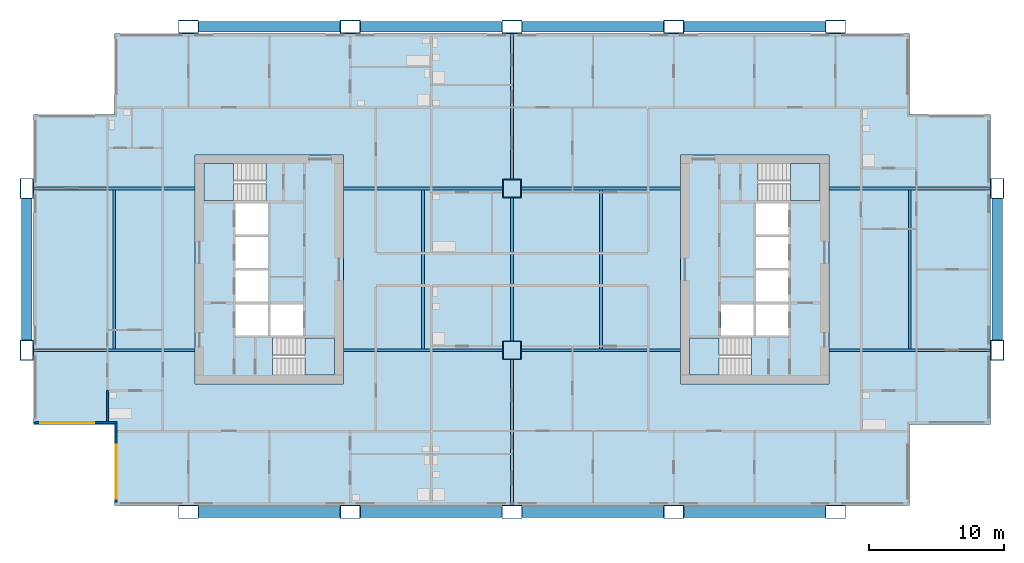
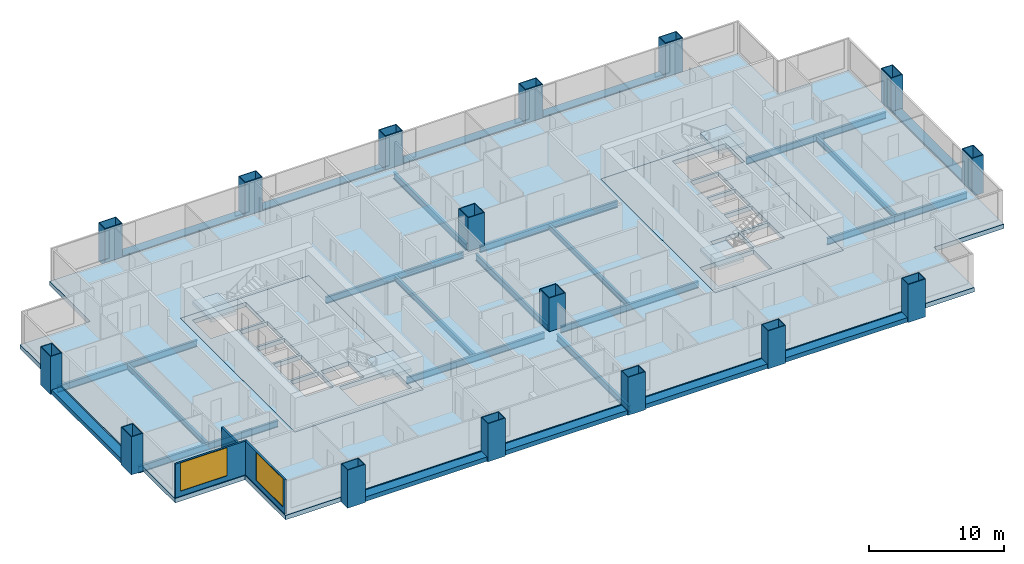
# One storey, part 1 of 11: 25 beams, 16 columns, 7 slabs, 3 walls, 2 windows, 2 openings, 4 elements without a shape of their own.
"""IFC4 building model written with IfcOpenShell, lengths in metres."""

from ifc_helpers import new_model, si_unit, direction, frame, frame_2d, origin, origin_2d, place, context, subcontext, project, spatial, polyline, rectangle, hollow_rectangle, i_section, outline, extrude, material, layer, layer_set, material_profile, profile_set, type_object, element, fill, aggregate, save


model = new_model("IFC4")

# Units and contexts
model_context = context("Model", 3, precision=1e-05, world=origin(), true_north=direction((0.0, 1.0)))
body_context = subcontext(model_context, "Body", "Model", "MODEL_VIEW")
ifc_project = project(units=[si_unit("LENGTHUNIT", "METRE"), si_unit("AREAUNIT", "SQUARE_METRE"), si_unit("VOLUMEUNIT", "CUBIC_METRE"), si_unit("PLANEANGLEUNIT", "RADIAN"), si_unit("MASSUNIT", "GRAM", prefix="KILO")], contexts=[model_context])

# Site, building, storey
site_placement = place(None, origin())
site = spatial("IfcSite", under=ifc_project, at=site_placement, CompositionType="ELEMENT")
building_placement = place(site_placement, origin())
building = spatial("IfcBuilding", under=site, at=building_placement, Name="Kitamizu Gate Tower and Museum", CompositionType="ELEMENT")
storey_placement = place(building_placement, frame((0.0, 0.0, 106.949951171875)))
storey = spatial("IfcBuildingStorey", under=building, at=storey_placement, Name="L27", CompositionType="ELEMENT", Elevation=106.949951171875)

# Columns
ifc_material_1 = material(Name="Steel SM490A bronze coated", Category="steel")
ifc_material_profile_1 = material_profile(ifc_material_1, hollow_rectangle(XDim=1.5, YDim=1.0, WallThickness=0.06005859375, at=origin_2d()), Name="BOX 1500x1000x60")
ifc_profile_set_1 = profile_set([ifc_material_profile_1], Name="Steel SM490A bronze coated")
column_type_1 = type_object("IfcColumnType", Name="Exoskeleton column XC4 BOX 1500x1000x60", PredefinedType="COLUMN", material=ifc_profile_set_1)
for number, where, z_axis, x_axis, name in (
    (1, (0.0, 24.0, -0.39990234375), (0.0, 0.0, 1.0), (0.0, 1.0, 0.0), "Column XC4 1C L27"),
    (2, (0.0, 36.0, -0.39990234375), (0.0, 0.0, 1.0), (0.0, 1.0, 0.0), "Column XC4 1D L27"),
    (3, (12.0, 12.0, -0.39990234375), (0.0, 0.0, 1.0), (1.0, 0.0, 0.0), "Column XC4 2B L27"),
    (4, (12.0, 48.0, -0.39990234375), (0.0, 0.0, 1.0), (1.0, 0.0, 0.0), "Column XC4 2E L27"),
    (5, (24.0, 12.0, -0.39990234375), (0.0, 0.0, 1.0), (1.0, 0.0, 0.0), "Column XC4 3B L27"),
    (6, (24.0, 48.0, -0.39990234375), (0.0, 0.0, 1.0), (1.0, 0.0, 0.0), "Column XC4 3E L27"),
    (7, (36.0, 12.0, -0.39990234375), (0.0, 0.0, 1.0), (1.0, 0.0, 0.0), "Column XC4 4B L27"),
    (8, (36.0, 48.0, -0.39990234375), (0.0, 0.0, 1.0), (1.0, 0.0, 0.0), "Column XC4 4E L27"),
    (9, (48.0, 12.0, -0.39990234375), (0.0, 0.0, 1.0), (1.0, 0.0, 0.0), "Column XC4 5B L27"),
    (10, (48.0, 48.0, -0.39990234375), (0.0, 0.0, 1.0), (1.0, 0.0, 0.0), "Column XC4 5E L27"),
    (11, (60.0, 12.0, -0.39990234375), (0.0, 0.0, 1.0), (1.0, 0.0, 0.0), "Column XC4 6B L27"),
    (12, (60.0, 48.0, -0.39990234375), (0.0, 0.0, 1.0), (1.0, 0.0, 0.0), "Column XC4 6E L27"),
    (13, (72.0, 24.0, -0.39990234375), (0.0, 0.0, 1.0), (0.0, 1.0, 0.0), "Column XC4 7C L27"),
    (14, (72.0, 36.0, -0.39990234375), (0.0, 0.0, 1.0), (0.0, 1.0, 0.0), "Column XC4 7D L27"),
):
    element("IfcColumn", number, at=place(storey_placement, frame(where, z_axis=z_axis, x_axis=x_axis)), inside=storey, type_object=column_type_1, Name=name, PredefinedType="COLUMN", context=body_context, shape_type="SweptSolid", body=[
        extrude(hollow_rectangle(XDim=1.5, YDim=1.0, WallThickness=0.06005859375, at=origin_2d()), origin(), (0.0, 0.0, 1.0), 3.449951171875),
    ])
ifc_material_2 = material(Name="Steel SM490A", Category="steel")
ifc_material_profile_2 = material_profile(ifc_material_2, hollow_rectangle(XDim=1.39990234375, YDim=1.39990234375, WallThickness=0.06005859375, at=origin_2d()), Name="BOX 1400x1400x60")
ifc_profile_set_2 = profile_set([ifc_material_profile_2], Name="Steel SM490A")
column_type_2 = type_object("IfcColumnType", Name="Interior column IC3 BOX 1400x1400x60", PredefinedType="COLUMN", material=ifc_profile_set_2)
for number, where, z_axis, x_axis, name in (
    (15, (36.0, 24.0, 0.0), (0.0, 0.0, 1.0), (1.0, 0.0, 0.0), "Column IC3 4C L27"),
    (16, (36.0, 36.0, 0.0), (0.0, 0.0, 1.0), (1.0, 0.0, 0.0), "Column IC3 4D L27"),
):
    element("IfcColumn", number, at=place(storey_placement, frame(where, z_axis=z_axis, x_axis=x_axis)), inside=storey, type_object=column_type_2, Name=name, PredefinedType="COLUMN", context=body_context, shape_type="SweptSolid", body=[
        extrude(hollow_rectangle(XDim=1.39990234375, YDim=1.39990234375, WallThickness=0.06005859375, at=origin_2d()), origin(), (0.0, 0.0, 1.0), 3.050048828125),
    ])

# Beams
ifc_material_3 = material(Name="Steel SM490A bronze coated", Category="steel")
ifc_material_profile_3 = material_profile(ifc_material_3, hollow_rectangle(XDim=0.800048828125, YDim=0.39990234375, WallThickness=0.0400390625, at=origin_2d()), Name="BOX 800x400x40")
ifc_profile_set_3 = profile_set([ifc_material_profile_3], Name="Steel SM490A bronze coated")
beam_type_1 = type_object("IfcBeamType", Name="Exoskeleton spandrel beam SB1 BOX 800x400x40", PredefinedType="SPANDREL", material=ifc_profile_set_3)
for number, where, z_axis, x_axis, name in (
    (17, (12.75, 12.0, -0.199951171875), (1.0, 0.0, 0.0), (0.0, 1.0, 0.0), "Exoskeleton spandrel beam south 12 L27"),
    (18, (24.75, 12.0, -0.199951171875), (1.0, 0.0, 0.0), (0.0, 1.0, 0.0), "Exoskeleton spandrel beam south 24 L27"),
    (19, (36.75, 12.0, -0.199951171875), (1.0, 0.0, 0.0), (0.0, 1.0, 0.0), "Exoskeleton spandrel beam south 36 L27"),
    (20, (48.75, 12.0, -0.199951171875), (1.0, 0.0, 0.0), (0.0, 1.0, 0.0), "Exoskeleton spandrel beam south 48 L27"),
    (21, (12.75, 48.0, -0.199951171875), (1.0, 0.0, 0.0), (0.0, 1.0, 0.0), "Exoskeleton spandrel beam north 12 L27"),
    (22, (24.75, 48.0, -0.199951171875), (1.0, 0.0, 0.0), (0.0, 1.0, 0.0), "Exoskeleton spandrel beam north 24 L27"),
    (23, (36.75, 48.0, -0.199951171875), (1.0, 0.0, 0.0), (0.0, 1.0, 0.0), "Exoskeleton spandrel beam north 36 L27"),
    (24, (48.75, 48.0, -0.199951171875), (1.0, 0.0, 0.0), (0.0, 1.0, 0.0), "Exoskeleton spandrel beam north 48 L27"),
    (25, (0.0, 24.75, -0.199951171875), (0.0, 1.0, 0.0), (-1.0, 0.0, 0.0), "Exoskeleton spandrel beam west 24 L27"),
    (26, (72.0, 24.75, -0.199951171875), (0.0, 1.0, 0.0), (-1.0, 0.0, 0.0), "Exoskeleton spandrel beam east 24 L27"),
):
    element("IfcBeam", number, at=place(storey_placement, frame(where, z_axis=z_axis, x_axis=x_axis)), inside=storey, type_object=beam_type_1, Name=name, PredefinedType="SPANDREL", context=body_context, shape_type="SweptSolid", body=[
        extrude(hollow_rectangle(XDim=0.800048828125, YDim=0.39990234375, WallThickness=0.0400390625, at=origin_2d()), origin(), (0.0, 0.0, 1.0), 10.5),
    ])
ifc_material_4 = material(Name="Steel SM490A", Category="steel")
ifc_material_profile_4 = material_profile(ifc_material_4, i_section(OverallWidth=0.199951171875, OverallDepth=0.5, WebThickness=0.010009765625, FlangeThickness=0.01611328125, FilletRadius=0.02001953125, at=origin_2d()), Name="H-500x200x10x16")
ifc_profile_set_4 = profile_set([ifc_material_profile_4], Name="Steel SM490A")
beam_type_2 = type_object("IfcBeamType", Name="Floor beam FB1 H 500x200x10x16", PredefinedType="BEAM", material=ifc_profile_set_4)
for number, where, z_axis, x_axis, name in (
    (27, (6.5, 24.10009765625, -0.64990234375), (0.0, 1.0, 0.0), (-1.0, 0.0, 0.0), "Floor beam FB1 L27-1"),
    (28, (29.39990234375, 24.10009765625, -0.64990234375), (0.0, 1.0, 0.0), (-1.0, 0.0, 0.0), "Floor beam FB1 L27-2"),
    (29, (42.60009765625, 24.10009765625, -0.64990234375), (0.0, 1.0, 0.0), (-1.0, 0.0, 0.0), "Floor beam FB1 L27-3"),
    (30, (65.5, 24.10009765625, -0.64990234375), (0.0, 1.0, 0.0), (-1.0, 0.0, 0.0), "Floor beam FB1 L27-4"),
):
    element("IfcBeam", number, at=place(storey_placement, frame(where, z_axis=z_axis, x_axis=x_axis)), inside=storey, type_object=beam_type_2, Name=name, PredefinedType="BEAM", context=body_context, shape_type="SweptSolid", body=[
        extrude(i_section(OverallWidth=0.199951171875, OverallDepth=0.5, WebThickness=0.010009765625, FlangeThickness=0.01611328125, FilletRadius=0.02001953125, at=origin_2d()), origin(), (0.0, 0.0, 1.0), 11.7998046875),
    ])
ifc_material_5 = material(Name="Steel SM490A", Category="steel")
ifc_material_profile_5 = material_profile(ifc_material_5, i_section(OverallWidth=0.199951171875, OverallDepth=0.60009765625, WebThickness=0.010986328125, FlangeThickness=0.01708984375, FilletRadius=0.02197265625, at=origin_2d()), Name="H-600x200x11x17")
ifc_profile_set_5 = profile_set([ifc_material_profile_5], Name="Steel SM490A")
beam_type_3 = type_object("IfcBeamType", Name="Floor girder FG1 H 600x200x11x17", PredefinedType="BEAM", material=ifc_profile_set_5)
beam_1_placement = place(storey_placement, frame((36.0, 12.5, -0.699951171875), z_axis=(0.0, 1.0, 0.0), x_axis=(-1.0, 0.0, 0.0)))
element("IfcBeam", 31, at=beam_1_placement, inside=storey, type_object=beam_type_3, Name="Floor girder FG1 x36 L27", PredefinedType="BEAM", context=body_context, shape_type="SweptSolid", body=[
    extrude(i_section(OverallWidth=0.199951171875, OverallDepth=0.60009765625, WebThickness=0.010986328125, FlangeThickness=0.01708984375, FilletRadius=0.02197265625, at=origin_2d()), origin(), (0.0, 0.0, 1.0), 10.800048828125),
])
beam_2_placement = place(storey_placement, frame((36.0, 24.699951171875, -0.699951171875), z_axis=(0.0, 1.0, 0.0), x_axis=(-1.0, 0.0, 0.0)))
element("IfcBeam", 32, at=beam_2_placement, inside=storey, type_object=beam_type_3, Name="Floor girder FG1 x36 L27", PredefinedType="BEAM", context=body_context, shape_type="SweptSolid", body=[
    extrude(i_section(OverallWidth=0.199951171875, OverallDepth=0.60009765625, WebThickness=0.010986328125, FlangeThickness=0.01708984375, FilletRadius=0.02197265625, at=origin_2d()), origin(), (0.0, 0.0, 1.0), 10.60009765625),
])
beam_3_placement = place(storey_placement, frame((36.0, 36.699951171875, -0.699951171875), z_axis=(0.0, 1.0, 0.0), x_axis=(-1.0, 0.0, 0.0)))
element("IfcBeam", 33, at=beam_3_placement, inside=storey, type_object=beam_type_3, Name="Floor girder FG1 x36 L27", PredefinedType="BEAM", context=body_context, shape_type="SweptSolid", body=[
    extrude(i_section(OverallWidth=0.199951171875, OverallDepth=0.60009765625, WebThickness=0.010986328125, FlangeThickness=0.01708984375, FilletRadius=0.02197265625, at=origin_2d()), origin(), (0.0, 0.0, 1.0), 10.800048828125),
])
beam_4_placement = place(storey_placement, frame((0.5, 24.0, -0.699951171875), z_axis=(1.0, 0.0, 0.0), x_axis=(0.0, 1.0, 0.0)))
element("IfcBeam", 34, at=beam_4_placement, inside=storey, type_object=beam_type_3, Name="Floor girder FG1 y24 L27", PredefinedType="BEAM", context=body_context, shape_type="SweptSolid", body=[
    extrude(i_section(OverallWidth=0.199951171875, OverallDepth=0.60009765625, WebThickness=0.010986328125, FlangeThickness=0.01708984375, FilletRadius=0.02197265625, at=origin_2d()), origin(), (0.0, 0.0, 1.0), 12.0),
])
for number, where, z_axis, x_axis, name in (
    (35, (23.5, 24.0, -0.699951171875), (1.0, 0.0, 0.0), (0.0, 1.0, 0.0), "Floor girder FG1 y24 L27"),
    (36, (36.699951171875, 24.0, -0.699951171875), (1.0, 0.0, 0.0), (0.0, 1.0, 0.0), "Floor girder FG1 y24 L27"),
):
    element("IfcBeam", number, at=place(storey_placement, frame(where, z_axis=z_axis, x_axis=x_axis)), inside=storey, type_object=beam_type_3, Name=name, PredefinedType="BEAM", context=body_context, shape_type="SweptSolid", body=[
        extrude(i_section(OverallWidth=0.199951171875, OverallDepth=0.60009765625, WebThickness=0.010986328125, FlangeThickness=0.01708984375, FilletRadius=0.02197265625, at=origin_2d()), origin(), (0.0, 0.0, 1.0), 11.800048828125),
    ])
for number, where, z_axis, x_axis, name in (
    (37, (59.5, 24.0, -0.699951171875), (1.0, 0.0, 0.0), (0.0, 1.0, 0.0), "Floor girder FG1 y24 L27"),
    (38, (0.5, 36.0, -0.699951171875), (1.0, 0.0, 0.0), (0.0, 1.0, 0.0), "Floor girder FG1 y36 L27"),
):
    element("IfcBeam", number, at=place(storey_placement, frame(where, z_axis=z_axis, x_axis=x_axis)), inside=storey, type_object=beam_type_3, Name=name, PredefinedType="BEAM", context=body_context, shape_type="SweptSolid", body=[
        extrude(i_section(OverallWidth=0.199951171875, OverallDepth=0.60009765625, WebThickness=0.010986328125, FlangeThickness=0.01708984375, FilletRadius=0.02197265625, at=origin_2d()), origin(), (0.0, 0.0, 1.0), 12.0),
    ])
for number, where, z_axis, x_axis, name in (
    (39, (23.5, 36.0, -0.699951171875), (1.0, 0.0, 0.0), (0.0, 1.0, 0.0), "Floor girder FG1 y36 L27"),
    (40, (36.699951171875, 36.0, -0.699951171875), (1.0, 0.0, 0.0), (0.0, 1.0, 0.0), "Floor girder FG1 y36 L27"),
):
    element("IfcBeam", number, at=place(storey_placement, frame(where, z_axis=z_axis, x_axis=x_axis)), inside=storey, type_object=beam_type_3, Name=name, PredefinedType="BEAM", context=body_context, shape_type="SweptSolid", body=[
        extrude(i_section(OverallWidth=0.199951171875, OverallDepth=0.60009765625, WebThickness=0.010986328125, FlangeThickness=0.01708984375, FilletRadius=0.02197265625, at=origin_2d()), origin(), (0.0, 0.0, 1.0), 11.800048828125),
    ])
beam_5_placement = place(storey_placement, frame((59.5, 36.0, -0.699951171875), z_axis=(1.0, 0.0, 0.0), x_axis=(0.0, 1.0, 0.0)))
element("IfcBeam", 41, at=beam_5_placement, inside=storey, type_object=beam_type_3, Name="Floor girder FG1 y36 L27", PredefinedType="BEAM", context=body_context, shape_type="SweptSolid", body=[
    extrude(i_section(OverallWidth=0.199951171875, OverallDepth=0.60009765625, WebThickness=0.010986328125, FlangeThickness=0.01708984375, FilletRadius=0.02197265625, at=origin_2d()), origin(), (0.0, 0.0, 1.0), 12.0),
])

# Slabs
ifc_material_6 = material(Name="Concrete Fc36", Category="concrete")
ifc_layer_1 = layer(ifc_material_6, 0.39990234375)
ifc_layer_set_1 = layer_set([ifc_layer_1], Name="Concrete Fc36")
slab_type_1 = type_object("IfcSlabType", Name="Core floor slab 400", PredefinedType="FLOOR", material=ifc_layer_set_1)
slab_1_placement = place(storey_placement, frame((0.0, 0.0, -0.39990234375)))
element("IfcSlab", 42, at=slab_1_placement, inside=storey, type_object=slab_type_1, Name="Core floor slab W", PredefinedType="FLOOR", context=body_context, shape_type="SweptSolid", body=[
    extrude(outline(polyline([(12.5, 21.5), (23.5, 21.5), (23.5, 38.5), (12.5, 38.5), (12.5, 21.5)]), holes=[polyline([(15.5, 25.10009765625), (17.89990234375, 25.10009765625), (17.89990234375, 27.39990234375), (15.5, 27.39990234375), (15.5, 25.10009765625)]), polyline([(15.5, 27.60009765625), (17.89990234375, 27.60009765625), (17.89990234375, 29.89990234375), (15.5, 29.89990234375), (15.5, 27.60009765625)]), polyline([(15.5, 30.10009765625), (17.89990234375, 30.10009765625), (17.89990234375, 32.39990234375), (15.5, 32.39990234375), (15.5, 30.10009765625)]), polyline([(15.5, 32.60009765625), (17.89990234375, 32.60009765625), (17.89990234375, 34.89990234375), (15.5, 34.89990234375), (15.5, 32.60009765625)]), polyline([(18.10009765625, 25.10009765625), (20.5, 25.10009765625), (20.5, 27.39990234375), (18.10009765625, 27.39990234375), (18.10009765625, 25.10009765625)]), polyline([(18.25048828125, 22.14990234375), (22.85009765625, 22.14990234375), (22.85009765625, 24.89990234375), (18.25048828125, 24.89990234375), (18.25048828125, 22.14990234375)]), polyline([(13.14990234375, 35.10009765625), (17.74951171875, 35.10009765625), (17.74951171875, 37.85009765625), (13.14990234375, 37.85009765625), (13.14990234375, 35.10009765625)])]), origin(), (0.0, 0.0, 1.0), 0.39990234375),
])
slab_2_placement = place(storey_placement, frame((0.0, 0.0, -0.39990234375)))
element("IfcSlab", 43, at=slab_2_placement, inside=storey, type_object=slab_type_1, Name="Core floor slab E", PredefinedType="FLOOR", context=body_context, shape_type="SweptSolid", body=[
    extrude(outline(polyline([(48.5, 21.5), (59.5, 21.5), (59.5, 38.5), (48.5, 38.5), (48.5, 21.5)]), holes=[polyline([(54.10009765625, 25.10009765625), (56.5, 25.10009765625), (56.5, 27.39990234375), (54.10009765625, 27.39990234375), (54.10009765625, 25.10009765625)]), polyline([(54.10009765625, 27.60009765625), (56.5, 27.60009765625), (56.5, 29.89990234375), (54.10009765625, 29.89990234375), (54.10009765625, 27.60009765625)]), polyline([(54.10009765625, 30.10009765625), (56.5, 30.10009765625), (56.5, 32.39990234375), (54.10009765625, 32.39990234375), (54.10009765625, 30.10009765625)]), polyline([(54.10009765625, 32.60009765625), (56.5, 32.60009765625), (56.5, 34.89990234375), (54.10009765625, 34.89990234375), (54.10009765625, 32.60009765625)]), polyline([(51.5, 25.10009765625), (53.89990234375, 25.10009765625), (53.89990234375, 27.39990234375), (51.5, 27.39990234375), (51.5, 25.10009765625)]), polyline([(49.14990234375, 22.14990234375), (53.74951171875, 22.14990234375), (53.74951171875, 24.89990234375), (49.14990234375, 24.89990234375), (49.14990234375, 22.14990234375)]), polyline([(54.25048828125, 35.10009765625), (58.85009765625, 35.10009765625), (58.85009765625, 37.85009765625), (54.25048828125, 37.85009765625), (54.25048828125, 35.10009765625)])]), origin(), (0.0, 0.0, 1.0), 0.39990234375),
])
ifc_material_7 = material(Name="Concrete Fc36", Category="concrete")
ifc_layer_2 = layer(ifc_material_7, 0.39990234375)
ifc_layer_set_2 = layer_set([ifc_layer_2], Name="Concrete Fc36")
slab_type_2 = type_object("IfcSlabType", Name="Post tensioned flat slab 400", PredefinedType="FLOOR", material=ifc_layer_set_2)
slab_3_placement = place(storey_placement, frame((0.0, 0.0, -0.39990234375)))
element("IfcSlab", 44, at=slab_3_placement, inside=storey, type_object=slab_type_2, Name="Floor slab L27-1", PredefinedType="FLOOR", context=body_context, shape_type="SweptSolid", body=[
    extrude(outline(polyline([(0.5, 18.5), (0.5, 41.5), (6.5, 41.5), (6.5, 47.5), (65.5, 47.5), (65.5, 41.5), (71.5, 41.5), (71.5, 18.5), (65.5, 18.5), (65.5, 12.5), (6.5, 12.5), (6.5, 18.5), (0.5, 18.5)]), holes=[polyline([(59.5, 38.5), (48.5, 38.5), (48.5, 21.5), (59.5, 21.5), (59.5, 38.5)]), polyline([(12.5, 38.5), (12.5, 21.5), (23.5, 21.5), (23.5, 38.5), (12.5, 38.5)])]), origin(), (0.0, 0.0, 1.0), 0.39990234375),
])

# Stair, slab
ifc_material_8 = material(Name="Concrete Fc42", Category="concrete")
stair_type = type_object("IfcStairType", Name="Exit stair 1275 wide 192 rise 300 going", PredefinedType="HALF_TURN_STAIR", material=ifc_material_8)
stair_1_placement = place(storey_placement, origin())
stair_1 = element("IfcStair", 45, at=stair_1_placement, inside=storey, type_object=stair_type, Name="Exit stair ST1", PredefinedType="HALF_TURN_STAIR")
ifc_material_9 = material(Name="Concrete Fc42", Category="concrete")
ifc_layer_3 = layer(ifc_material_9, 0.300048828125)
ifc_layer_set_3 = layer_set([ifc_layer_3], Name="Concrete Fc42")
slab_type_3 = type_object("IfcSlabType", Name="Stair landing 300", PredefinedType="LANDING", material=ifc_layer_set_3)
slab_4_placement = place(storey_placement, frame((0.0, 0.0, 1.425048828125)))
slab_4 = element("IfcSlab", 46, at=slab_4_placement, type_object=slab_type_3, Name="ST1 landing 1", PredefinedType="LANDING", context=body_context, shape_type="SweptSolid", body=[
    extrude(outline(polyline([(20.64990234375, 22.14990234375), (22.85009765625, 22.14990234375), (22.85009765625, 24.89990234375), (20.64990234375, 24.89990234375), (20.64990234375, 22.14990234375)])), origin(), (0.0, 0.0, 1.0), 0.300048828125),
])
aggregate(stair_1, [slab_4])

stair_2_placement = place(storey_placement, origin())
stair_2 = element("IfcStair", 47, at=stair_2_placement, inside=storey, type_object=stair_type, Name="Exit stair ST2", PredefinedType="HALF_TURN_STAIR")
slab_5_placement = place(storey_placement, frame((0.0, 0.0, 1.425048828125)))
slab_5 = element("IfcSlab", 48, at=slab_5_placement, type_object=slab_type_3, Name="ST2 landing 1", PredefinedType="LANDING", context=body_context, shape_type="SweptSolid", body=[
    extrude(outline(polyline([(13.14990234375, 35.10009765625), (15.35009765625, 35.10009765625), (15.35009765625, 37.85009765625), (13.14990234375, 37.85009765625), (13.14990234375, 35.10009765625)])), origin(), (0.0, 0.0, 1.0), 0.300048828125),
])
aggregate(stair_2, [slab_5])

stair_3_placement = place(storey_placement, origin())
stair_3 = element("IfcStair", 49, at=stair_3_placement, inside=storey, type_object=stair_type, Name="Exit stair ST3", PredefinedType="HALF_TURN_STAIR")
slab_6_placement = place(storey_placement, frame((0.0, 0.0, 1.425048828125)))
slab_6 = element("IfcSlab", 50, at=slab_6_placement, type_object=slab_type_3, Name="ST3 landing 1", PredefinedType="LANDING", context=body_context, shape_type="SweptSolid", body=[
    extrude(outline(polyline([(49.14990234375, 22.14990234375), (51.35009765625, 22.14990234375), (51.35009765625, 24.89990234375), (49.14990234375, 24.89990234375), (49.14990234375, 22.14990234375)])), origin(), (0.0, 0.0, 1.0), 0.300048828125),
])
aggregate(stair_3, [slab_6])

stair_4_placement = place(storey_placement, origin())
stair_4 = element("IfcStair", 51, at=stair_4_placement, inside=storey, type_object=stair_type, Name="Exit stair ST4", PredefinedType="HALF_TURN_STAIR")
slab_7_placement = place(storey_placement, frame((0.0, 0.0, 1.425048828125)))
slab_7 = element("IfcSlab", 52, at=slab_7_placement, type_object=slab_type_3, Name="ST4 landing 1", PredefinedType="LANDING", context=body_context, shape_type="SweptSolid", body=[
    extrude(outline(polyline([(56.64990234375, 35.10009765625), (58.85009765625, 35.10009765625), (58.85009765625, 37.85009765625), (56.64990234375, 37.85009765625), (56.64990234375, 35.10009765625)])), origin(), (0.0, 0.0, 1.0), 0.300048828125),
])
aggregate(stair_4, [slab_7])

# Wall
ifc_material_10 = material(Name="Gypsum board on galvanised stud")
ifc_layer_4 = layer(ifc_material_10, 0.14990234375)
ifc_layer_set_4 = layer_set([ifc_layer_4], Name="Gypsum board on galvanised stud")
wall_type_1 = type_object("IfcWallType", Name="Partition 150", PredefinedType="PARTITIONING", material=ifc_layer_set_4)
wall_1_placement = place(storey_placement, frame((6.0, 18.719970703125, 0.0), z_axis=(0.0, 0.0, 1.0), x_axis=(0.0, 1.0, 0.0)))
element("IfcWall", 53, at=wall_1_placement, inside=storey, type_object=wall_type_1, Name="Partition L27-020", PredefinedType="PARTITIONING", context=body_context, shape_type="SweptSolid", body=[
    extrude(rectangle(XDim=2.280029296875, YDim=0.14990234375, at=frame_2d((1.14013671875, 0.0))), origin(), (0.0, 0.0, 1.0), 3.050048828125),
])

# Wall, opening, window
ifc_material_11 = material(Name="Bronze anodised aluminium frame with insulated spandrel and tinted glass", Category="aluminium")
ifc_layer_5 = layer(ifc_material_11, 0.14990234375)
ifc_layer_set_5 = layer_set([ifc_layer_5], Name="Bronze anodised aluminium frame with insulated spandrel and tinted glass")
wall_type_2 = type_object("IfcWallType", Name="WINDOW WALL 150 BRONZE FRAME EI 30", PredefinedType="ELEMENTEDWALL", material=ifc_layer_set_5)
wall_2_placement = place(storey_placement, frame((0.56005859375, 18.635009765625, 0.0), z_axis=(0.0, 0.0, 1.0), x_axis=(1.0, 0.0, 0.0)))
wall_2 = element("IfcWall", 54, at=wall_2_placement, inside=storey, type_object=wall_type_2, Name="Window wall south L27", PredefinedType="ELEMENTEDWALL", context=body_context, shape_type="SweptSolid", body=[
    extrude(rectangle(XDim=6.14990234375, YDim=0.14990234375, at=frame_2d((3.074951171875, 0.0))), origin(), (0.0, 0.0, 1.0), 3.050048828125),
])
opening_1_placement = place(wall_2_placement, frame((0.43994140625, 0.0, 0.449951171875)))
opening_1 = element("IfcOpeningElement", 55, at=opening_1_placement, cuts=wall_2, Name="Opening W16", PredefinedType="OPENING", context=body_context, shape_type="SweptSolid", body=[
    extrude(rectangle(XDim=4.0, YDim=2.550048828125, at=frame_2d((2.0, 1.27490234375))), frame((0.0, 0.0849609375, 0.0), z_axis=(0.0, -1.0, 0.0), x_axis=(1.0, 0.0, 0.0)), (0.0, 0.0, 1.0), 0.169921875),
])
ifc_material_12 = material(Name="Bronze anodised aluminium frame, tinted triple glazing", Category="aluminium")
window_type = type_object("IfcWindowType", Name="WINDOW 4000 x 2550 SILL 450", PartitioningType="SINGLE_PANEL", PredefinedType="WINDOW", material=ifc_material_12)
window_1_placement = place(opening_1_placement, origin())
window_1 = element("IfcWindow", 56, at=window_1_placement, inside=storey, type_object=window_type, Name="Window W16 L27", OverallHeight=2.550048828125, OverallWidth=4.0, PartitioningType="SINGLE_PANEL", PredefinedType="WINDOW", context=body_context, shape_type="SweptSolid", body=[
    extrude(rectangle(XDim=4.0, YDim=2.550048828125, at=frame_2d((2.0, 1.27490234375))), frame((0.0, 0.030029296875, 0.0), z_axis=(0.0, -1.0, 0.0), x_axis=(1.0, 0.0, 0.0)), (0.0, 0.0, 1.0), 0.06005859375),
])
fill(opening_1, window_1)

wall_3_placement = place(storey_placement, frame((6.635009765625, 12.7099609375, 0.0), z_axis=(0.0, 0.0, 1.0), x_axis=(0.0, 1.0, 0.0)))
wall_3 = element("IfcWall", 57, at=wall_3_placement, inside=storey, type_object=wall_type_2, Name="Window wall west L27", PredefinedType="ELEMENTEDWALL", context=body_context, shape_type="SweptSolid", body=[
    extrude(rectangle(XDim=5.85009765625, YDim=0.14990234375, at=frame_2d((2.925048828125, 0.0))), origin(), (0.0, 0.0, 1.0), 3.050048828125),
])
opening_2_placement = place(wall_3_placement, frame((0.2900390625, 0.0, 0.449951171875)))
opening_2 = element("IfcOpeningElement", 58, at=opening_2_placement, cuts=wall_3, Name="Opening W16", PredefinedType="OPENING", context=body_context, shape_type="SweptSolid", body=[
    extrude(rectangle(XDim=4.0, YDim=2.550048828125, at=frame_2d((2.0, 1.27490234375))), frame((0.0, 0.0849609375, 0.0), z_axis=(0.0, -1.0, 0.0), x_axis=(1.0, 0.0, 0.0)), (0.0, 0.0, 1.0), 0.169921875),
])
window_2_placement = place(opening_2_placement, origin())
window_2 = element("IfcWindow", 59, at=window_2_placement, inside=storey, type_object=window_type, Name="Window W16 L27", OverallHeight=2.550048828125, OverallWidth=4.0, PartitioningType="SINGLE_PANEL", PredefinedType="WINDOW", context=body_context, shape_type="SweptSolid", body=[
    extrude(rectangle(XDim=4.0, YDim=2.550048828125, at=frame_2d((2.0, 1.27490234375))), frame((0.0, 0.030029296875, 0.0), z_axis=(0.0, -1.0, 0.0), x_axis=(1.0, 0.0, 0.0)), (0.0, 0.0, 1.0), 0.06005859375),
])
fill(opening_2, window_2)

save(model, "model.ifc")
